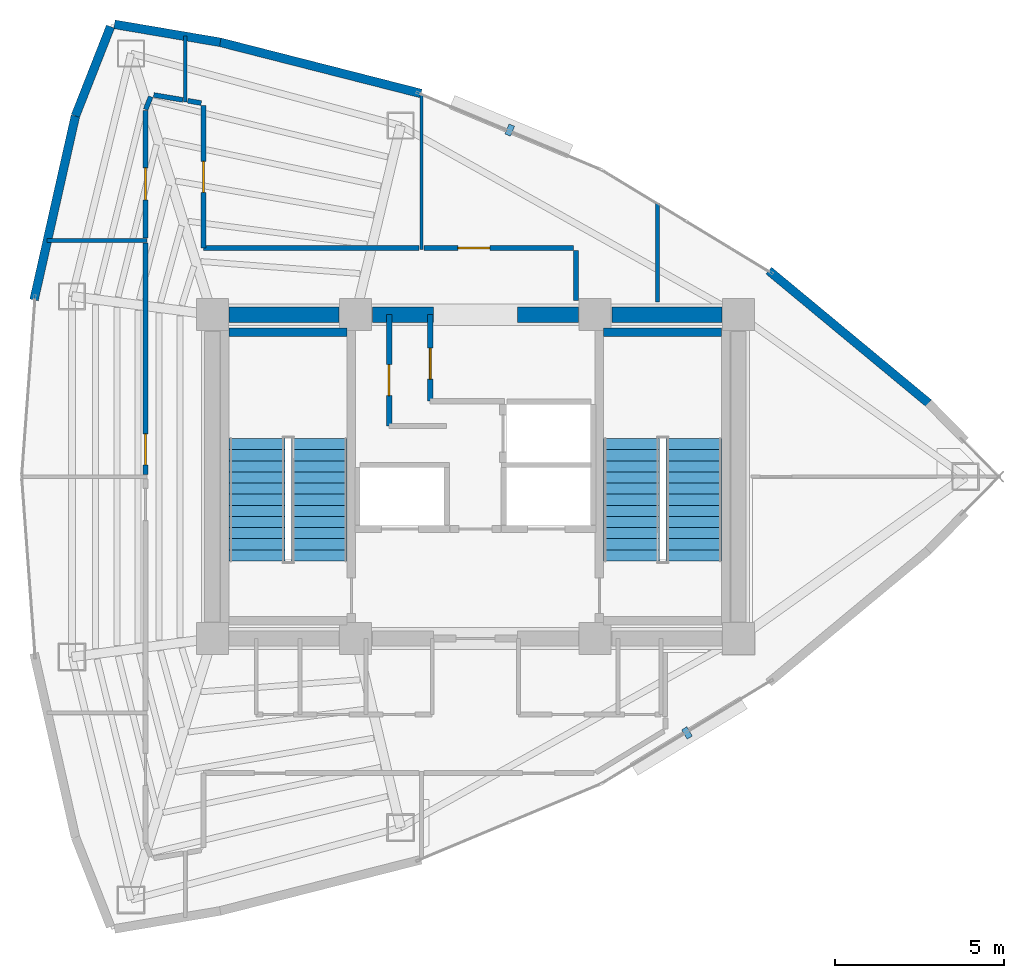
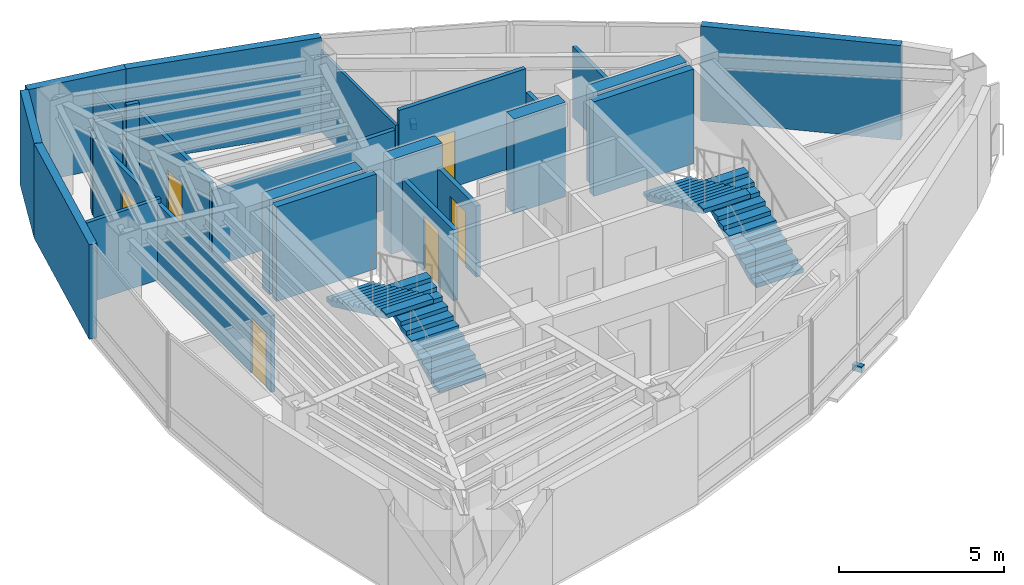
# One storey, part 13 of 15: 26 walls, 6 doors, 4 stair flights, 2 discrete accessories, 6 openings, 2 elements without a shape of their own.
"""IFC4 building model written with IfcOpenShell, lengths in metres."""

from ifc_helpers import new_model, si_unit, direction, frame, frame_2d, origin, origin_2d, place, context, subcontext, project, spatial, polyline, rectangle, outline, extrude, material, layer, layer_set, type_object, element, fill, aggregate, save


model = new_model("IFC4")

# Units and contexts
model_context = context("Model", 3, precision=1e-05, world=origin(), true_north=direction((0.0, 1.0)))
body_context = subcontext(model_context, "Body", "Model", "MODEL_VIEW")
ifc_project = project(units=[si_unit("LENGTHUNIT", "METRE"), si_unit("AREAUNIT", "SQUARE_METRE"), si_unit("VOLUMEUNIT", "CUBIC_METRE"), si_unit("PLANEANGLEUNIT", "RADIAN"), si_unit("MASSUNIT", "GRAM", prefix="KILO")], contexts=[model_context])

# Site, building, storey
site_placement = place(None, origin())
site = spatial("IfcSite", under=ifc_project, at=site_placement, CompositionType="ELEMENT")
building_placement = place(site_placement, origin())
building = spatial("IfcBuilding", under=site, at=building_placement, Name="Menara Vayukalpa", CompositionType="ELEMENT")
storey_placement = place(building_placement, frame((0.0, 0.0, 291.780029296875)))
storey = spatial("IfcBuildingStorey", under=building, at=storey_placement, Name="L74", CompositionType="ELEMENT", Elevation=291.780029296875)

# Walls
ifc_material_1 = material(Name="Concrete C50/60", Category="concrete")
ifc_layer_1 = layer(ifc_material_1, 0.449951171875)
ifc_layer_set_1 = layer_set([ifc_layer_1], Name="Concrete C50/60")
wall_type_1 = type_object("IfcWallType", Name="WAL-CW450", PredefinedType="SHEAR", material=ifc_layer_set_1)
wall_1_placement = place(storey_placement, frame((18.294921875, 26.800048828125, 0.0), z_axis=(0.0, 0.0, 1.0), x_axis=(1.0, 0.0, 0.0)))
element("IfcWall", 1, at=wall_1_placement, inside=storey, type_object=wall_type_1, Name="L74 Buttressed Core Shear Wall CWN1", PredefinedType="SHEAR", context=body_context, shape_type="SweptSolid", body=[
    extrude(rectangle(XDim=3.260009765625, YDim=0.449951171875, at=frame_2d((1.6298828125, 0.0))), origin(), (0.0, 0.0, 1.0), 3.5),
])
wall_2_placement = place(storey_placement, frame((22.544921875, 26.800048828125, 0.0), z_axis=(0.0, 0.0, 1.0), x_axis=(1.0, 0.0, 0.0)))
element("IfcWall", 2, at=wall_2_placement, inside=storey, type_object=wall_type_1, Name="L74 Buttressed Core Shear Wall CWN2", PredefinedType="SHEAR", context=body_context, shape_type="SweptSolid", body=[
    extrude(rectangle(XDim=1.80517578125, YDim=0.449951171875, at=frame_2d((0.902587890625, 0.0))), origin(), (0.0, 0.0, 1.0), 3.5),
])
wall_3_placement = place(storey_placement, frame((26.85009765625, 26.800048828125, 0.0), z_axis=(0.0, 0.0, 1.0), x_axis=(1.0, 0.0, 0.0)))
element("IfcWall", 3, at=wall_3_placement, inside=storey, type_object=wall_type_1, Name="L74 Buttressed Core Shear Wall CWN3", PredefinedType="SHEAR", context=body_context, shape_type="SweptSolid", body=[
    extrude(rectangle(XDim=1.804931640625, YDim=0.449951171875, at=frame_2d((0.90234375, 0.0))), origin(), (0.0, 0.0, 1.0), 3.5),
])
wall_4_placement = place(storey_placement, frame((29.64501953125, 26.800048828125, 0.0), z_axis=(0.0, 0.0, 1.0), x_axis=(1.0, 0.0, 0.0)))
element("IfcWall", 4, at=wall_4_placement, inside=storey, type_object=wall_type_1, Name="L74 Buttressed Core Shear Wall CWN4", PredefinedType="SHEAR", context=body_context, shape_type="SweptSolid", body=[
    extrude(rectangle(XDim=3.260009765625, YDim=0.449951171875, at=frame_2d((1.6298828125, 0.0))), origin(), (0.0, 0.0, 1.0), 3.5),
])
ifc_material_2 = material(Name="Insulated Precast Concrete C40/50", Category="concrete")
ifc_layer_2 = layer(ifc_material_2, 0.260009765625)
ifc_layer_set_2 = layer_set([ifc_layer_2], Name="Insulated Precast Concrete C40/50")
wall_type_2 = type_object("IfcWallType", Name="WAL-EXT260", PredefinedType="PARTITIONING", material=ifc_layer_set_2)
wall_5_placement = place(storey_placement, frame((34.295166015625, 28.1083984375, 0.0), z_axis=(0.0, 0.0, 1.0), x_axis=(0.769779830138, -0.638309496337, 0.0)))
element("IfcWall", 5, at=wall_5_placement, inside=storey, type_object=wall_type_2, Name="L74 Perimeter Terracotta Pier Wall 03", PredefinedType="PARTITIONING", context=body_context, shape_type="SweptSolid", body=[
    extrude(rectangle(XDim=6.154052734375, YDim=0.260009765625, at=frame_2d((3.0771484375, 0.0))), origin(), (0.0, 0.0, 1.0), 3.5),
])
wall_6_placement = place(storey_placement, frame((18.0244140625, 34.878662109375, 0.0), z_axis=(0.0, 0.0, 1.0), x_axis=(0.968988278672, -0.247106689096, 0.0)))
element("IfcWall", 6, at=wall_6_placement, inside=storey, type_object=wall_type_2, Name="L74 Perimeter Terracotta Pier Wall 06", PredefinedType="PARTITIONING", context=body_context, shape_type="SweptSolid", body=[
    extrude(rectangle(XDim=6.154296875, YDim=0.260009765625, at=frame_2d((3.0771484375, 0.0))), origin(), (0.0, 0.0, 1.0), 3.5),
])
wall_7_placement = place(storey_placement, frame((14.900146484375, 35.40869140625, 0.0), z_axis=(0.0, 0.0, 1.0), x_axis=(0.985889432766, -0.167397808709, 0.0)))
element("IfcWall", 7, at=wall_7_placement, inside=storey, type_object=wall_type_2, Name="L74 Perimeter Terracotta Pier Wall 07", PredefinedType="PARTITIONING", context=body_context, shape_type="SweptSolid", body=[
    extrude(rectangle(XDim=3.180908203125, YDim=0.260009765625, at=frame_2d((1.59033203125, 0.0))), origin(), (0.0, 0.0, 1.0), 3.5),
])
wall_8_placement = place(storey_placement, frame((13.741943359375, 32.693359375, 0.0), z_axis=(0.0, 0.0, 1.0), x_axis=(0.36559927932, 0.930772349697, 0.0)))
element("IfcWall", 8, at=wall_8_placement, inside=storey, type_object=wall_type_2, Name="L74 Perimeter Terracotta Pier Wall 08", PredefinedType="PARTITIONING", context=body_context, shape_type="SweptSolid", body=[
    extrude(rectangle(XDim=2.845458984375, YDim=0.260009765625, at=frame_2d((1.4228515625, 0.0))), origin(), (0.0, 0.0, 1.0), 3.5),
])
wall_9_placement = place(storey_placement, frame((12.514892578125, 27.239501953125, 0.0), z_axis=(0.0, 0.0, 1.0), x_axis=(0.219500763731, 0.97561232809, 0.0)))
element("IfcWall", 9, at=wall_9_placement, inside=storey, type_object=wall_type_2, Name="L74 Perimeter Terracotta Pier Wall 09", PredefinedType="PARTITIONING", context=body_context, shape_type="SweptSolid", body=[
    extrude(rectangle(XDim=5.590087890625, YDim=0.260009765625, at=frame_2d((2.794921875, 0.0))), origin(), (0.0, 0.0, 1.0), 3.5),
])

# Wall, opening, door
ifc_material_3 = material(Name="Lightweight Concrete Blockwork C16/20", Category="masonry")
ifc_layer_3 = layer(ifc_material_3, 0.159912109375)
ifc_layer_set_3 = layer_set([ifc_layer_3], Name="Lightweight Concrete Blockwork C16/20")
wall_type_3 = type_object("IfcWallType", Name="WAL-FR150", PredefinedType="PARTITIONING", material=ifc_layer_set_3)
wall_10_placement = place(storey_placement, frame((23.0400390625, 23.5, 0.0), z_axis=(0.0, 0.0, 1.0), x_axis=(0.0, 1.0, 0.0)))
wall_10 = element("IfcWall", 10, at=wall_10_placement, inside=storey, type_object=wall_type_3, Name="L74 Interior Partition IW-L74-LV7WB", PredefinedType="PARTITIONING", context=body_context, shape_type="SweptSolid", body=[
    extrude(rectangle(XDim=3.300048828125, YDim=0.159912109375, at=frame_2d((1.64990234375, 0.0))), origin(), (0.0, 0.0, 1.0), 2.6298828125),
])
opening_1_placement = place(wall_10_placement, frame((0.89990234375, 0.0, 0.0)))
opening_1 = element("IfcOpeningElement", 11, at=opening_1_placement, cuts=wall_10, Name="Opening ID6", PredefinedType="OPENING", context=body_context, shape_type="SweptSolid", body=[
    extrude(rectangle(XDim=0.919921875, YDim=2.050048828125, at=frame_2d((0.4599609375, 1.02490234375))), frame((0.0, 0.08984375, 0.0), z_axis=(0.0, -1.0, 0.0), x_axis=(1.0, 0.0, 0.0)), (0.0, 0.0, 1.0), 0.179931640625),
])
ifc_material_4 = material(Name="Acoustic Hardwood Veneer Timber Door", Category="wood")
door_type_1 = type_object("IfcDoorType", Name="DR-INT92", OperationType="NOTDEFINED", PredefinedType="DOOR", material=ifc_material_4)
door_1_placement = place(opening_1_placement, origin())
door_1 = element("IfcDoor", 12, at=door_1_placement, inside=storey, type_object=door_type_1, Name="L74 Interior Door DR-L74-LV7W", OperationType="SINGLE_SWING_LEFT", OverallHeight=2.050048828125, OverallWidth=0.919921875, PredefinedType="DOOR", context=body_context, shape_type="SweptSolid", body=[
    extrude(rectangle(XDim=0.919921875, YDim=2.050048828125, at=frame_2d((0.4599609375, 1.02490234375))), frame((0.0, 0.02490234375, 0.0), z_axis=(0.0, -1.0, 0.0), x_axis=(1.0, 0.0, 0.0)), (0.0, 0.0, 1.0), 0.050048828125),
])
fill(opening_1, door_1)

wall_11_placement = place(storey_placement, frame((24.260009765625, 24.239990234375, 0.0), z_axis=(0.0, 0.0, 1.0), x_axis=(0.0, 1.0, 0.0)))
wall_11 = element("IfcWall", 13, at=wall_11_placement, inside=storey, type_object=wall_type_3, Name="L74 Interior Partition IW-L74-LV7EB", PredefinedType="PARTITIONING", context=body_context, shape_type="SweptSolid", body=[
    extrude(rectangle(XDim=2.56005859375, YDim=0.159912109375, at=frame_2d((1.280029296875, 0.0))), origin(), (0.0, 0.0, 1.0), 2.6298828125),
])
opening_2_placement = place(wall_11_placement, frame((0.64990234375, 0.0, 0.0)))
opening_2 = element("IfcOpeningElement", 14, at=opening_2_placement, cuts=wall_11, Name="Opening ID6", PredefinedType="OPENING", context=body_context, shape_type="SweptSolid", body=[
    extrude(rectangle(XDim=0.919921875, YDim=2.050048828125, at=frame_2d((0.4599609375, 1.02490234375))), frame((0.0, 0.08984375, 0.0), z_axis=(0.0, -1.0, 0.0), x_axis=(1.0, 0.0, 0.0)), (0.0, 0.0, 1.0), 0.179931640625),
])
door_2_placement = place(opening_2_placement, origin())
door_2 = element("IfcDoor", 15, at=door_2_placement, inside=storey, type_object=door_type_1, Name="L74 Interior Door DR-L74-LV7E", OperationType="SINGLE_SWING_RIGHT", OverallHeight=2.050048828125, OverallWidth=0.919921875, PredefinedType="DOOR", context=body_context, shape_type="SweptSolid", body=[
    extrude(rectangle(XDim=0.919921875, YDim=2.050048828125, at=frame_2d((0.4599609375, 1.02490234375))), frame((0.0, 0.02490234375, 0.0), z_axis=(0.0, -1.0, 0.0), x_axis=(1.0, 0.0, 0.0)), (0.0, 0.0, 1.0), 0.050048828125),
])
fill(opening_2, door_2)

# Walls
ifc_material_5 = material(Name="Glazed Demountable Office Partition", Category="glass")
ifc_layer_4 = layer(ifc_material_5, 0.094970703125)
ifc_layer_set_4 = layer_set([ifc_layer_4], Name="Glazed Demountable Office Partition")
wall_type_4 = type_object("IfcWallType", Name="WAL-PT100", PredefinedType="PARTITIONING", material=ifc_layer_set_4)
wall_12_placement = place(storey_placement, frame((17.0, 33.1044921875, 0.0), z_axis=(0.0, 0.0, 1.0), x_axis=(0.0, 1.0, 0.0)))
element("IfcWall", 16, at=wall_12_placement, inside=storey, type_object=wall_type_4, Name="L74 Interior Partition IW-L74-RDIV02", PredefinedType="PARTITIONING", context=body_context, shape_type="SweptSolid", body=[
    extrude(rectangle(XDim=1.957763671875, YDim=0.094970703125, at=frame_2d((0.97900390625, 0.0))), origin(), (0.0, 0.0, 1.0), 2.97998046875),
])
wall_13_placement = place(storey_placement, frame((24.0, 28.72998046875, 0.0), z_axis=(0.0, 0.0, 1.0), x_axis=(0.0, 1.0, 0.0)))
element("IfcWall", 17, at=wall_13_placement, inside=storey, type_object=wall_type_4, Name="L74 Interior Partition IW-L74-RDIV04", PredefinedType="PARTITIONING", context=body_context, shape_type="SweptSolid", body=[
    extrude(rectangle(XDim=4.6162109375, YDim=0.094970703125, at=frame_2d((2.30810546875, 0.0))), origin(), (0.0, 0.0, 1.0), 2.97998046875),
])
ifc_material_6 = material(Name="Gypsum Drywall Steel Stud Assembly", Category="steel")
ifc_layer_5 = layer(ifc_material_6, 0.125)
ifc_layer_set_5 = layer_set([ifc_layer_5], Name="Gypsum Drywall Steel Stud Assembly")
wall_type_5 = type_object("IfcWallType", Name="WAL-PT125", PredefinedType="PARTITIONING", material=ifc_layer_set_5)
wall_14_placement = place(storey_placement, frame((31.0, 27.169921875, 0.0), z_axis=(0.0, 0.0, 1.0), x_axis=(0.0, 1.0, 0.0)))
element("IfcWall", 18, at=wall_14_placement, inside=storey, type_object=wall_type_5, Name="L74 Interior Partition IW-L74-RDIV05", PredefinedType="PARTITIONING", context=body_context, shape_type="SweptSolid", body=[
    extrude(rectangle(XDim=2.933349609375, YDim=0.125, at=frame_2d((1.466796875, 0.0))), origin(), (0.0, 0.0, 1.0), 2.6298828125),
])
wall_15_placement = place(storey_placement, frame((12.900634765625, 29.0, 0.0), z_axis=(0.0, 0.0, 1.0), x_axis=(1.0, 0.0, 0.0)))
element("IfcWall", 19, at=wall_15_placement, inside=storey, type_object=wall_type_5, Name="L74 Interior Partition IW-L74-RDIV09", PredefinedType="PARTITIONING", context=body_context, shape_type="SweptSolid", body=[
    extrude(rectangle(XDim=2.969482421875, YDim=0.125, at=frame_2d((1.48486328125, 0.0))), origin(), (0.0, 0.0, 1.0), 2.97998046875),
])
ifc_material_7 = material(Name="Gypsum Drywall Acoustic Stud Assembly", Category="masonry")
ifc_layer_6 = layer(ifc_material_7, 0.14501953125)
ifc_layer_set_6 = layer_set([ifc_layer_6], Name="Gypsum Drywall Acoustic Stud Assembly")
wall_type_6 = type_object("IfcWallType", Name="WAL-PT150", PredefinedType="PARTITIONING", material=ifc_layer_set_6)
wall_16_placement = place(storey_placement, frame((28.580078125, 27.219970703125, 0.0), z_axis=(0.0, 0.0, 1.0), x_axis=(0.0, 1.0, 0.0)))
element("IfcWall", 20, at=wall_16_placement, inside=storey, type_object=wall_type_6, Name="L74 Interior Partition IW-L74-CRM07-1", PredefinedType="PARTITIONING", context=body_context, shape_type="SweptSolid", body=[
    extrude(rectangle(XDim=1.47998046875, YDim=0.14501953125, at=frame_2d((0.739990234375, 0.0))), origin(), (0.0, 0.0, 1.0), 2.6298828125),
])

# Wall, opening, door
wall_17_placement = place(storey_placement, frame((28.5, 28.780029296875, 0.0), z_axis=(0.0, 0.0, 1.0), x_axis=(-1.0, 0.0, 0.0)))
wall_17 = element("IfcWall", 21, at=wall_17_placement, inside=storey, type_object=wall_type_6, Name="L74 Interior Partition IW-L74-CRM07-2", PredefinedType="PARTITIONING", context=body_context, shape_type="SweptSolid", body=[
    extrude(rectangle(XDim=4.429931640625, YDim=0.14501953125, at=frame_2d((2.21484375, 0.0))), origin(), (0.0, 0.0, 1.0), 3.5),
])
opening_3_placement = place(wall_17_placement, frame((2.469970703125, 0.0, 0.0)))
opening_3 = element("IfcOpeningElement", 22, at=opening_3_placement, cuts=wall_17, Name="Opening ID5", PredefinedType="OPENING", context=body_context, shape_type="SweptSolid", body=[
    extrude(rectangle(XDim=0.949951171875, YDim=2.06005859375, at=frame_2d((0.47509765625, 1.030029296875))), frame((0.0, 0.08251953125, 0.0), z_axis=(0.0, -1.0, 0.0), x_axis=(1.0, 0.0, 0.0)), (0.0, 0.0, 1.0), 0.1650390625),
])
ifc_material_8 = material(Name="Acoustic Hardwood Veneer Timber Door", Category="wood")
door_type_2 = type_object("IfcDoorType", Name="DR-INT95", OperationType="NOTDEFINED", PredefinedType="DOOR", material=ifc_material_8)
door_3_placement = place(opening_3_placement, origin())
door_3 = element("IfcDoor", 23, at=door_3_placement, inside=storey, type_object=door_type_2, Name="L74 Interior Door DR-L74-RM07", OperationType="SINGLE_SWING_RIGHT", OverallHeight=2.06005859375, OverallWidth=0.949951171875, PredefinedType="DOOR", context=body_context, shape_type="SweptSolid", body=[
    extrude(rectangle(XDim=0.949951171875, YDim=2.06005859375, at=frame_2d((0.47509765625, 1.030029296875))), frame((0.0, 0.02490234375, 0.0), z_axis=(0.0, -1.0, 0.0), x_axis=(1.0, 0.0, 0.0)), (0.0, 0.0, 1.0), 0.050048828125),
])
fill(opening_3, door_3)

# Wall
wall_18_placement = place(storey_placement, frame((23.929931640625, 28.780029296875, 0.0), z_axis=(0.0, 0.0, 1.0), x_axis=(-1.0, 0.0, 0.0)))
element("IfcWall", 24, at=wall_18_placement, inside=storey, type_object=wall_type_6, Name="L74 Interior Partition IW-L74-CRM08-1", PredefinedType="PARTITIONING", context=body_context, shape_type="SweptSolid", body=[
    extrude(rectangle(XDim=6.389892578125, YDim=0.14501953125, at=frame_2d((3.19482421875, 0.0))), origin(), (0.0, 0.0, 1.0), 2.830078125),
])

# Wall, opening, door
wall_19_placement = place(storey_placement, frame((17.5400390625, 28.780029296875, 0.0), z_axis=(0.0, 0.0, 1.0), x_axis=(0.0, 1.0, 0.0)))
wall_19 = element("IfcWall", 25, at=wall_19_placement, inside=storey, type_object=wall_type_6, Name="L74 Interior Partition IW-L74-CRM08-2", PredefinedType="PARTITIONING", context=body_context, shape_type="SweptSolid", body=[
    extrude(rectangle(XDim=4.216064453125, YDim=0.14501953125, at=frame_2d((2.10791015625, 0.0))), origin(), (0.0, 0.0, 1.0), 3.1298828125),
])
opening_4_placement = place(wall_19_placement, frame((1.64794921875, 0.0, 0.0)))
opening_4 = element("IfcOpeningElement", 26, at=opening_4_placement, cuts=wall_19, Name="Opening ID6", PredefinedType="OPENING", context=body_context, shape_type="SweptSolid", body=[
    extrude(rectangle(XDim=0.919921875, YDim=2.050048828125, at=frame_2d((0.4599609375, 1.02490234375))), frame((0.0, 0.08251953125, 0.0), z_axis=(0.0, -1.0, 0.0), x_axis=(1.0, 0.0, 0.0)), (0.0, 0.0, 1.0), 0.1650390625),
])
door_4_placement = place(opening_4_placement, origin())
door_4 = element("IfcDoor", 27, at=door_4_placement, inside=storey, type_object=door_type_1, Name="L74 Interior Door DR-L74-RM08", OperationType="SINGLE_SWING_LEFT", OverallHeight=2.050048828125, OverallWidth=0.919921875, PredefinedType="DOOR", context=body_context, shape_type="SweptSolid", body=[
    extrude(rectangle(XDim=0.919921875, YDim=2.050048828125, at=frame_2d((0.4599609375, 1.02490234375))), frame((0.0, 0.02490234375, 0.0), z_axis=(0.0, -1.0, 0.0), x_axis=(1.0, 0.0, 0.0)), (0.0, 0.0, 1.0), 0.050048828125),
])
fill(opening_4, door_4)

# Walls
wall_20_placement = place(storey_placement, frame((17.473388671875, 33.074951171875, 0.0), z_axis=(0.0, 0.0, 1.0), x_axis=(-0.985840066474, 0.167688292179, 0.0)))
element("IfcWall", 28, at=wall_20_placement, inside=storey, type_object=wall_type_6, Name="L74 Interior Partition IW-L74-CRM08-3", PredefinedType="PARTITIONING", context=body_context, shape_type="SweptSolid", body=[
    extrude(rectangle(XDim=0.4091796875, YDim=0.14501953125, at=frame_2d((0.20458984375, 0.0))), origin(), (0.0, 0.0, 1.0), 3.5),
])
wall_21_placement = place(storey_placement, frame((16.929931640625, 33.167236328125, 0.0), z_axis=(0.0, 0.0, 1.0), x_axis=(-0.985878779942, 0.167460536424, 0.0)))
element("IfcWall", 29, at=wall_21_placement, inside=storey, type_object=wall_type_6, Name="L74 Interior Partition IW-L74-CRM09-1", PredefinedType="PARTITIONING", context=body_context, shape_type="SweptSolid", body=[
    extrude(rectangle(XDim=0.879150390625, YDim=0.14501953125, at=frame_2d((0.439453125, 0.0))), origin(), (0.0, 0.0, 1.0), 3.1298828125),
])
wall_22_placement = place(storey_placement, frame((15.975341796875, 33.2646484375, 0.0), z_axis=(0.0, 0.0, 1.0), x_axis=(-0.365633948196, -0.930758731319, 0.0)))
element("IfcWall", 30, at=wall_22_placement, inside=storey, type_object=wall_type_6, Name="L74 Interior Partition IW-L74-CRM09-2", PredefinedType="PARTITIONING", context=body_context, shape_type="SweptSolid", body=[
    extrude(rectangle(XDim=0.409912109375, YDim=0.14501953125, at=frame_2d((0.205078125, 0.0))), origin(), (0.0, 0.0, 1.0), 2.830078125),
])

# Wall, opening, door
wall_23_placement = place(storey_placement, frame((15.820068359375, 32.853759765625, 0.0), z_axis=(0.0, 0.0, 1.0), x_axis=(0.0, -1.0, 0.0)))
wall_23 = element("IfcWall", 31, at=wall_23_placement, inside=storey, type_object=wall_type_6, Name="L74 Interior Partition IW-L74-CRM09-3", PredefinedType="PARTITIONING", context=body_context, shape_type="SweptSolid", body=[
    extrude(rectangle(XDim=3.78369140625, YDim=0.14501953125, at=frame_2d((1.891845703125, 0.0))), origin(), (0.0, 0.0, 1.0), 2.830078125),
])
opening_5_placement = place(wall_23_placement, frame((1.701171875, 0.0, 0.0)))
opening_5 = element("IfcOpeningElement", 32, at=opening_5_placement, cuts=wall_23, Name="Opening ID5", PredefinedType="OPENING", context=body_context, shape_type="SweptSolid", body=[
    extrude(rectangle(XDim=0.949951171875, YDim=2.06005859375, at=frame_2d((0.47509765625, 1.030029296875))), frame((0.0, 0.08251953125, 0.0), z_axis=(0.0, -1.0, 0.0), x_axis=(1.0, 0.0, 0.0)), (0.0, 0.0, 1.0), 0.1650390625),
])
door_5_placement = place(opening_5_placement, origin())
door_5 = element("IfcDoor", 33, at=door_5_placement, inside=storey, type_object=door_type_2, Name="L74 Interior Door DR-L74-RM09", OperationType="SINGLE_SWING_RIGHT", OverallHeight=2.06005859375, OverallWidth=0.949951171875, PredefinedType="DOOR", context=body_context, shape_type="SweptSolid", body=[
    extrude(rectangle(XDim=0.949951171875, YDim=2.06005859375, at=frame_2d((0.47509765625, 1.030029296875))), frame((0.0, 0.02490234375, 0.0), z_axis=(0.0, -1.0, 0.0), x_axis=(1.0, 0.0, 0.0)), (0.0, 0.0, 1.0), 0.050048828125),
])
fill(opening_5, door_5)

wall_24_placement = place(storey_placement, frame((15.820068359375, 28.929931640625, 0.0), z_axis=(0.0, 0.0, 1.0), x_axis=(0.0, -1.0, 0.0)))
wall_24 = element("IfcWall", 34, at=wall_24_placement, inside=storey, type_object=wall_type_6, Name="L74 Interior Partition IW-L74-CRM10-1", PredefinedType="PARTITIONING", context=body_context, shape_type="SweptSolid", body=[
    extrude(rectangle(XDim=6.85986328125, YDim=0.14501953125, at=frame_2d((3.429931640625, 0.0))), origin(), (0.0, 0.0, 1.0), 2.830078125),
])
opening_6_placement = place(wall_24_placement, frame((5.659912109375, 0.0, 0.0)))
opening_6 = element("IfcOpeningElement", 35, at=opening_6_placement, cuts=wall_24, Name="Opening ID6", PredefinedType="OPENING", context=body_context, shape_type="SweptSolid", body=[
    extrude(rectangle(XDim=0.919921875, YDim=2.050048828125, at=frame_2d((0.4599609375, 1.02490234375))), frame((0.0, 0.08251953125, 0.0), z_axis=(0.0, -1.0, 0.0), x_axis=(1.0, 0.0, 0.0)), (0.0, 0.0, 1.0), 0.1650390625),
])
door_6_placement = place(opening_6_placement, origin())
door_6 = element("IfcDoor", 36, at=door_6_placement, inside=storey, type_object=door_type_1, Name="L74 Interior Door DR-L74-RM10", OperationType="SINGLE_SWING_LEFT", OverallHeight=2.050048828125, OverallWidth=0.919921875, PredefinedType="DOOR", context=body_context, shape_type="SweptSolid", body=[
    extrude(rectangle(XDim=0.919921875, YDim=2.050048828125, at=frame_2d((0.4599609375, 1.02490234375))), frame((0.0, 0.02490234375, 0.0), z_axis=(0.0, -1.0, 0.0), x_axis=(1.0, 0.0, 0.0)), (0.0, 0.0, 1.0), 0.050048828125),
])
fill(opening_6, door_6)

# Walls
ifc_material_9 = material(Name="Concrete C50/60", Category="concrete")
ifc_layer_7 = layer(ifc_material_9, 0.25)
ifc_layer_set_7 = layer_set([ifc_layer_7], Name="Concrete C50/60")
wall_type_7 = type_object("IfcWallType", Name="WAL-SW250", PredefinedType="SHEAR", material=ifc_layer_set_7)
for number, where, z_axis, x_axis, name in (
    (37, (18.300048828125, 26.27490234375, 0.0), (0.0, 0.0, 1.0), (1.0, 0.0, 0.0), "L74 ST1 Structural Stair Shaft Wall N"),
    (38, (29.39990234375, 26.27490234375, 0.0), (0.0, 0.0, 1.0), (1.0, 0.0, 0.0), "L74 ST2 Structural Stair Shaft Wall N"),
):
    element("IfcWall", number, at=place(storey_placement, frame(where, z_axis=z_axis, x_axis=x_axis)), inside=storey, type_object=wall_type_7, Name=name, PredefinedType="SHEAR", context=body_context, shape_type="SweptSolid", body=[
        extrude(rectangle(XDim=3.5, YDim=0.25, at=frame_2d((1.75, 0.0))), origin(), (0.0, 0.0, 1.0), 3.5),
    ])

# Stair, stair flights
ifc_material_10 = material(Name="Precast Concrete C40/50", Category="concrete")
stair_type = type_object("IfcStairType", Name="STR-T04", PredefinedType="DOUBLE_RETURN_STAIR", material=ifc_material_10)
stair_1_placement = place(storey_placement, origin())
stair_1 = element("IfcStair", 39, at=stair_1_placement, inside=storey, type_object=stair_type, Name="L74 Core Exit Stair ST-1", PredefinedType="DOUBLE_RETURN_STAIR")
ifc_material_11 = material(Name="Precast Concrete C40/50", Category="concrete")
stair_flight_type = type_object("IfcStairFlightType", Name="STF-T04", PredefinedType="STRAIGHT", material=ifc_material_11)
stair_flight_1_placement = place(storey_placement, frame((20.97509765625, 19.5, 0.0), z_axis=(0.0, 0.0, 1.0), x_axis=(0.0, 1.0, 0.0)))
stair_flight_1 = element("IfcStairFlight", 40, at=stair_flight_1_placement, type_object=stair_flight_type, Name="ST-1 flight 1", NumberOfRisers=12, NumberOfTreads=11, PredefinedType="STRAIGHT", RiserHeight=0.155, TreadLength=0.33, context=body_context, shape_type="SweptSolid", body=[
    extrude(outline(polyline([(0.0, 0.0), (0.0, 0.155029296875), (0.330078125, 0.155029296875), (0.330078125, 0.31005859375), (0.659912109375, 0.31005859375), (0.659912109375, 0.465087890625), (0.989990234375, 0.465087890625), (0.989990234375, 0.6201171875), (1.320068359375, 0.6201171875), (1.320068359375, 0.77490234375), (1.64990234375, 0.77490234375), (1.64990234375, 0.929931640625), (1.97998046875, 0.929931640625), (1.97998046875, 1.0849609375), (2.31005859375, 1.0849609375), (2.31005859375, 1.239990234375), (2.639892578125, 1.239990234375), (2.639892578125, 1.39501953125), (2.969970703125, 1.39501953125), (2.969970703125, 1.550048828125), (3.300048828125, 1.550048828125), (3.300048828125, 1.705078125), (3.6298828125, 1.705078125), (3.6298828125, 1.860107421875), (3.6298828125, 1.539306640625), (0.3525390625, 0.0), (0.0, 0.0)])), frame((0.0, 0.824951171875, 0.0), z_axis=(0.0, -1.0, 0.0), x_axis=(1.0, 0.0, 0.0)), (0.0, 0.0, 1.0), 1.64990234375),
])
stair_flight_2_placement = place(storey_placement, frame((19.125, 23.1298828125, 1.85986328125), z_axis=(0.0, 0.0, 1.0), x_axis=(0.0, -1.0, 0.0)))
stair_flight_2 = element("IfcStairFlight", 41, at=stair_flight_2_placement, type_object=stair_flight_type, Name="ST-1 flight 2", NumberOfRisers=12, NumberOfTreads=11, PredefinedType="STRAIGHT", RiserHeight=0.155, TreadLength=0.33, context=body_context, shape_type="SweptSolid", body=[
    extrude(outline(polyline([(0.0, 0.0), (0.0, 0.155029296875), (0.330078125, 0.155029296875), (0.330078125, 0.31005859375), (0.659912109375, 0.31005859375), (0.659912109375, 0.465087890625), (0.989990234375, 0.465087890625), (0.989990234375, 0.6201171875), (1.320068359375, 0.6201171875), (1.320068359375, 0.77490234375), (1.64990234375, 0.77490234375), (1.64990234375, 0.929931640625), (1.97998046875, 0.929931640625), (1.97998046875, 1.0849609375), (2.31005859375, 1.0849609375), (2.31005859375, 1.239990234375), (2.639892578125, 1.239990234375), (2.639892578125, 1.39501953125), (2.969970703125, 1.39501953125), (2.969970703125, 1.550048828125), (3.300048828125, 1.550048828125), (3.300048828125, 1.705078125), (3.6298828125, 1.705078125), (3.6298828125, 1.860107421875), (3.6298828125, 1.539306640625), (0.3525390625, 0.0), (0.0, 0.0)])), frame((0.0, 0.824951171875, 0.0), z_axis=(0.0, -1.0, 0.0), x_axis=(1.0, 0.0, 0.0)), (0.0, 0.0, 1.0), 1.64990234375),
])
aggregate(stair_1, [stair_flight_1, stair_flight_2])

stair_2_placement = place(storey_placement, origin())
stair_2 = element("IfcStair", 42, at=stair_2_placement, inside=storey, type_object=stair_type, Name="L74 Core Exit Stair ST-2", PredefinedType="DOUBLE_RETURN_STAIR")
stair_flight_3_placement = place(storey_placement, frame((32.074951171875, 19.5, 0.0), z_axis=(0.0, 0.0, 1.0), x_axis=(0.0, 1.0, 0.0)))
stair_flight_3 = element("IfcStairFlight", 43, at=stair_flight_3_placement, type_object=stair_flight_type, Name="ST-2 flight 1", NumberOfRisers=12, NumberOfTreads=11, PredefinedType="STRAIGHT", RiserHeight=0.155, TreadLength=0.33, context=body_context, shape_type="SweptSolid", body=[
    extrude(outline(polyline([(0.0, 0.0), (0.0, 0.155029296875), (0.330078125, 0.155029296875), (0.330078125, 0.31005859375), (0.659912109375, 0.31005859375), (0.659912109375, 0.465087890625), (0.989990234375, 0.465087890625), (0.989990234375, 0.6201171875), (1.320068359375, 0.6201171875), (1.320068359375, 0.77490234375), (1.64990234375, 0.77490234375), (1.64990234375, 0.929931640625), (1.97998046875, 0.929931640625), (1.97998046875, 1.0849609375), (2.31005859375, 1.0849609375), (2.31005859375, 1.239990234375), (2.639892578125, 1.239990234375), (2.639892578125, 1.39501953125), (2.969970703125, 1.39501953125), (2.969970703125, 1.550048828125), (3.300048828125, 1.550048828125), (3.300048828125, 1.705078125), (3.6298828125, 1.705078125), (3.6298828125, 1.860107421875), (3.6298828125, 1.539306640625), (0.3525390625, 0.0), (0.0, 0.0)])), frame((0.0, 0.824951171875, 0.0), z_axis=(0.0, -1.0, 0.0), x_axis=(1.0, 0.0, 0.0)), (0.0, 0.0, 1.0), 1.64990234375),
])
stair_flight_4_placement = place(storey_placement, frame((30.22509765625, 23.1298828125, 1.85986328125), z_axis=(0.0, 0.0, 1.0), x_axis=(0.0, -1.0, 0.0)))
stair_flight_4 = element("IfcStairFlight", 44, at=stair_flight_4_placement, type_object=stair_flight_type, Name="ST-2 flight 2", NumberOfRisers=12, NumberOfTreads=11, PredefinedType="STRAIGHT", RiserHeight=0.155, TreadLength=0.33, context=body_context, shape_type="SweptSolid", body=[
    extrude(outline(polyline([(0.0, 0.0), (0.0, 0.155029296875), (0.330078125, 0.155029296875), (0.330078125, 0.31005859375), (0.659912109375, 0.31005859375), (0.659912109375, 0.465087890625), (0.989990234375, 0.465087890625), (0.989990234375, 0.6201171875), (1.320068359375, 0.6201171875), (1.320068359375, 0.77490234375), (1.64990234375, 0.77490234375), (1.64990234375, 0.929931640625), (1.97998046875, 0.929931640625), (1.97998046875, 1.0849609375), (2.31005859375, 1.0849609375), (2.31005859375, 1.239990234375), (2.639892578125, 1.239990234375), (2.639892578125, 1.39501953125), (2.969970703125, 1.39501953125), (2.969970703125, 1.550048828125), (3.300048828125, 1.550048828125), (3.300048828125, 1.705078125), (3.6298828125, 1.705078125), (3.6298828125, 1.860107421875), (3.6298828125, 1.539306640625), (0.3525390625, 0.0), (0.0, 0.0)])), frame((0.0, 0.824951171875, 0.0), z_axis=(0.0, -1.0, 0.0), x_axis=(1.0, 0.0, 0.0)), (0.0, 0.0, 1.0), 1.64990234375),
])
aggregate(stair_2, [stair_flight_3, stair_flight_4])

# Discrete accessories
ifc_material_12 = material(Name="Stainless Steel 316 Sunshade Bracket", Category="steel")
discrete_accessory_type = type_object("IfcDiscreteAccessoryType", Name="ACC-BRK1", PredefinedType="BRACKET", material=ifc_material_12)
for number, where, z_axis, x_axis, name in (
    (45, (26.61767578125, 32.272705078125, -0.16015625), (0.0, 0.0, 1.0), (-0.922538089456, 0.385906042324, 0.0), "L74 Terracotta Sunshade Bracket 05"),
    (46, (31.87109375, 14.402587890625, -0.16015625), (0.0, 0.0, 1.0), (0.85466730962, 0.519176068272, 0.0), "L74 Terracotta Sunshade Bracket 17"),
):
    element("IfcDiscreteAccessory", number, at=place(storey_placement, frame(where, z_axis=z_axis, x_axis=x_axis)), inside=storey, type_object=discrete_accessory_type, Name=name, PredefinedType="BRACKET", context=body_context, shape_type="SweptSolid", body=[
        extrude(rectangle(XDim=0.179931640625, YDim=0.320068359375, at=origin_2d()), origin(), (0.0, 0.0, 1.0), 0.219970703125),
    ])

save(model, "model.ifc")
